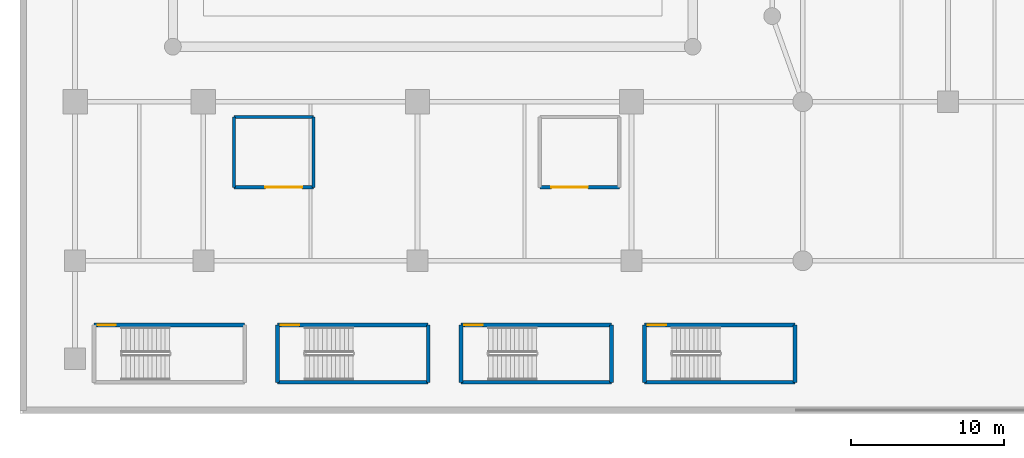
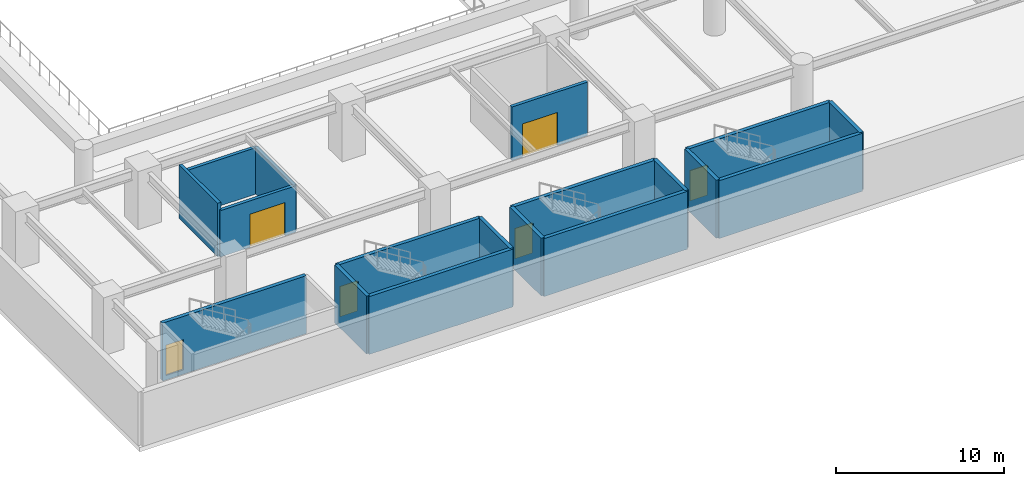
# One storey, part 6 of 25: 18 walls, 6 doors, 6 openings.
"""IFC4 building model written with IfcOpenShell, lengths in metres."""

from ifc_helpers import new_model, si_unit, direction, frame, frame_2d, origin, place, context, subcontext, project, spatial, rectangle, extrude, material, layer, layer_set, type_object, element, fill, save


model = new_model("IFC4")

# Units and contexts
model_context = context("Model", 3, precision=1e-05, world=origin(), true_north=direction((0.0, 1.0)))
body_context = subcontext(model_context, "Body", "Model", "MODEL_VIEW")
ifc_project = project(units=[si_unit("LENGTHUNIT", "METRE"), si_unit("AREAUNIT", "SQUARE_METRE"), si_unit("VOLUMEUNIT", "CUBIC_METRE"), si_unit("PLANEANGLEUNIT", "RADIAN"), si_unit("MASSUNIT", "GRAM", prefix="KILO")], contexts=[model_context])

# Site, building, storey
site_placement = place(None, origin())
site = spatial("IfcSite", under=ifc_project, at=site_placement, CompositionType="ELEMENT")
building_placement = place(site_placement, origin())
building = spatial("IfcBuilding", under=site, at=building_placement, Name="Narakoshi Arena Tower", CompositionType="ELEMENT")
storey_placement = place(building_placement, frame((0.0, 0.0, 9.0)))
storey = spatial("IfcBuildingStorey", under=building, at=storey_placement, Name="L02", CompositionType="ELEMENT", Elevation=9.0)

# Wall, opening, door
ifc_material_1 = material(Name="Concrete C40/50", Category="concrete")
ifc_layer_1 = layer(ifc_material_1, 0.219970703125)
ifc_layer_set_1 = layer_set([ifc_layer_1], Name="Concrete C40/50")
wall_type_1 = type_object("IfcWallType", Name="WL-COMP-220", PredefinedType="SOLIDWALL", material=ifc_layer_set_1)
wall_1_placement = place(storey_placement, frame((14.0, 14.800048828125, 0.0), z_axis=(0.0, 0.0, 1.0), x_axis=(1.0, 0.0, 0.0)))
wall_1 = element("IfcWall", 1, at=wall_1_placement, inside=storey, type_object=wall_type_1, Name="L02 Vomitory 1 Wall S", PredefinedType="SOLIDWALL", context=body_context, shape_type="SweptSolid", body=[
    extrude(rectangle(XDim=5.199951171875, YDim=0.219970703125, at=frame_2d((2.60009765625, 0.0))), origin(), (0.0, 0.0, 1.0), 3.364990234375),
])
opening_1_placement = place(wall_1_placement, frame((2.050048828125, 0.0, 0.0)))
opening_1 = element("IfcOpeningElement", 2, at=opening_1_placement, cuts=wall_1, Name="Opening D-02", PredefinedType="OPENING", context=body_context, shape_type="SweptSolid", body=[
    extrude(rectangle(XDim=2.39990234375, YDim=2.39990234375, at=frame_2d((1.199951171875, 1.199951171875))), frame((0.0, 0.119873046875, 0.0), z_axis=(0.0, -1.0, 0.0), x_axis=(1.0, 0.0, 0.0)), (0.0, 0.0, 1.0), 0.239990234375),
])
ifc_material_2 = material(Name="Painted galvanized steel", Category="steel")
door_type_1 = type_object("IfcDoorType", Name="DR-ARN-2400", OperationType="DOUBLE_DOOR_SINGLE_SWING", PredefinedType="USERDEFINED", material=ifc_material_2)
door_1_placement = place(opening_1_placement, frame((2.39990234375, 0.0, 0.0), z_axis=(0.0, 0.0, 1.0), x_axis=(-1.0, 0.0, 0.0)))
door_1 = element("IfcDoor", 3, at=door_1_placement, inside=storey, type_object=door_type_1, Name="DR-L02-022", ObjectType="EXITDOOR", OperationType="DOUBLE_DOOR_SINGLE_SWING", OverallHeight=2.39990234375, OverallWidth=2.39990234375, PredefinedType="USERDEFINED", context=body_context, shape_type="SweptSolid", body=[
    extrude(rectangle(XDim=2.39990234375, YDim=2.39990234375, at=frame_2d((1.199951171875, 1.199951171875))), frame((0.0, 0.02490234375, 0.0), z_axis=(0.0, -1.0, 0.0), x_axis=(1.0, 0.0, 0.0)), (0.0, 0.0, 1.0), 0.050048828125),
])
fill(opening_1, door_1)

# Walls
wall_2_placement = place(storey_placement, frame((19.199951171875, 14.800048828125, 0.0), z_axis=(0.0, 0.0, 1.0), x_axis=(0.0, 1.0, 0.0)))
element("IfcWall", 4, at=wall_2_placement, inside=storey, type_object=wall_type_1, Name="L02 Vomitory 1 Wall E", PredefinedType="SOLIDWALL", context=body_context, shape_type="SweptSolid", body=[
    extrude(rectangle(XDim=4.599853515625, YDim=0.219970703125, at=frame_2d((2.2998046875, 0.0))), origin(), (0.0, 0.0, 1.0), 3.364990234375),
])
wall_3_placement = place(storey_placement, frame((19.199951171875, 19.39990234375, 0.0), z_axis=(0.0, 0.0, 1.0), x_axis=(-1.0, 0.0, 0.0)))
element("IfcWall", 5, at=wall_3_placement, inside=storey, type_object=wall_type_1, Name="L02 Vomitory 1 Wall N", PredefinedType="SOLIDWALL", context=body_context, shape_type="SweptSolid", body=[
    extrude(rectangle(XDim=5.199951171875, YDim=0.219970703125, at=frame_2d((2.60009765625, 0.0))), origin(), (0.0, 0.0, 1.0), 3.364990234375),
])
wall_4_placement = place(storey_placement, frame((14.0, 19.39990234375, 0.0), z_axis=(0.0, 0.0, 1.0), x_axis=(0.0, -1.0, 0.0)))
element("IfcWall", 6, at=wall_4_placement, inside=storey, type_object=wall_type_1, Name="L02 Vomitory 1 Wall W", PredefinedType="SOLIDWALL", context=body_context, shape_type="SweptSolid", body=[
    extrude(rectangle(XDim=4.599853515625, YDim=0.219970703125, at=frame_2d((2.2998046875, 0.0))), origin(), (0.0, 0.0, 1.0), 3.8798828125),
])

# Wall, opening, door
wall_5_placement = place(storey_placement, frame((34.0, 14.800048828125, 0.0), z_axis=(0.0, 0.0, 1.0), x_axis=(1.0, 0.0, 0.0)))
wall_5 = element("IfcWall", 7, at=wall_5_placement, inside=storey, type_object=wall_type_1, Name="L02 Vomitory 2 Wall S", PredefinedType="SOLIDWALL", context=body_context, shape_type="SweptSolid", body=[
    extrude(rectangle(XDim=5.199951171875, YDim=0.219970703125, at=frame_2d((2.60009765625, 0.0))), origin(), (0.0, 0.0, 1.0), 3.8798828125),
])
opening_2_placement = place(wall_5_placement, frame((0.75, 0.0, 0.0)))
opening_2 = element("IfcOpeningElement", 8, at=opening_2_placement, cuts=wall_5, Name="Opening D-02", PredefinedType="OPENING", context=body_context, shape_type="SweptSolid", body=[
    extrude(rectangle(XDim=2.39990234375, YDim=2.39990234375, at=frame_2d((1.199951171875, 1.199951171875))), frame((0.0, 0.119873046875, 0.0), z_axis=(0.0, -1.0, 0.0), x_axis=(1.0, 0.0, 0.0)), (0.0, 0.0, 1.0), 0.239990234375),
])
door_2_placement = place(opening_2_placement, frame((2.39990234375, 0.0, 0.0), z_axis=(0.0, 0.0, 1.0), x_axis=(-1.0, 0.0, 0.0)))
door_2 = element("IfcDoor", 9, at=door_2_placement, inside=storey, type_object=door_type_1, Name="DR-L02-023", ObjectType="EXITDOOR", OperationType="DOUBLE_DOOR_SINGLE_SWING", OverallHeight=2.39990234375, OverallWidth=2.39990234375, PredefinedType="USERDEFINED", context=body_context, shape_type="SweptSolid", body=[
    extrude(rectangle(XDim=2.39990234375, YDim=2.39990234375, at=frame_2d((1.199951171875, 1.199951171875))), frame((0.0, 0.02490234375, 0.0), z_axis=(0.0, -1.0, 0.0), x_axis=(1.0, 0.0, 0.0)), (0.0, 0.0, 1.0), 0.050048828125),
])
fill(opening_2, door_2)

ifc_material_3 = material(Name="Concrete C50/60", Category="concrete")
ifc_layer_2 = layer(ifc_material_3, 0.35009765625)
ifc_layer_set_2 = layer_set([ifc_layer_2], Name="Concrete C50/60")
wall_type_2 = type_object("IfcWallType", Name="WL-SHAFT-350", PredefinedType="SOLIDWALL", material=ifc_layer_set_2)
wall_6_placement = place(storey_placement, frame((4.85009765625, 5.800048828125, -0.320068359375), z_axis=(0.0, 0.0, 1.0), x_axis=(1.0, 0.0, 0.0)))
wall_6 = element("IfcWall", 10, at=wall_6_placement, inside=storey, type_object=wall_type_2, Name="L02 AST1 Landing Door Wall", PredefinedType="SOLIDWALL", context=body_context, shape_type="SweptSolid", body=[
    extrude(rectangle(XDim=9.849853515625, YDim=0.25, at=frame_2d((4.9248046875, 0.0))), origin(), (0.0, 0.0, 1.0), 4.199951171875),
])
opening_3_placement = place(wall_6_placement, frame((0.219970703125, 0.0, 0.320068359375)))
opening_3 = element("IfcOpeningElement", 11, at=opening_3_placement, cuts=wall_6, Name="Opening D-03", PredefinedType="OPENING", context=body_context, shape_type="SweptSolid", body=[
    extrude(rectangle(XDim=1.199951171875, YDim=2.199951171875, at=frame_2d((0.60009765625, 1.10009765625))), frame((0.0, 0.135009765625, 0.0), z_axis=(0.0, -1.0, 0.0), x_axis=(1.0, 0.0, 0.0)), (0.0, 0.0, 1.0), 0.27001953125),
])
door_type_2 = type_object("IfcDoorType", Name="DR-STR-1200", OperationType="NOTDEFINED", PredefinedType="USERDEFINED", material=ifc_material_2)
door_3_placement = place(opening_3_placement, frame((1.199951171875, 0.0, 0.0), z_axis=(0.0, 0.0, 1.0), x_axis=(-1.0, 0.0, 0.0)))
door_3 = element("IfcDoor", 12, at=door_3_placement, inside=storey, type_object=door_type_2, Name="DR-L02-014", ObjectType="EXITDOOR", OperationType="SINGLE_SWING_LEFT", OverallHeight=2.199951171875, OverallWidth=1.199951171875, PredefinedType="USERDEFINED", context=body_context, shape_type="SweptSolid", body=[
    extrude(rectangle(XDim=1.199951171875, YDim=2.199951171875, at=frame_2d((0.60009765625, 1.10009765625))), frame((0.0, 0.02490234375, 0.0), z_axis=(0.0, -1.0, 0.0), x_axis=(1.0, 0.0, 0.0)), (0.0, 0.0, 1.0), 0.050048828125),
])
fill(opening_3, door_3)

# Walls
for number, where, z_axis, x_axis, name in (
    (13, (16.85009765625, 2.050048828125, -0.320068359375), (0.0, 0.0, 1.0), (0.0, 1.0, 0.0), "L02 AST2 Enclosure Wall W"),
    (14, (26.699951171875, 2.050048828125, -0.320068359375), (0.0, 0.0, 1.0), (0.0, 1.0, 0.0), "L02 AST2 Enclosure Wall E"),
):
    element("IfcWall", number, at=place(storey_placement, frame(where, z_axis=z_axis, x_axis=x_axis)), inside=storey, type_object=wall_type_2, Name=name, PredefinedType="SOLIDWALL", context=body_context, shape_type="SweptSolid", body=[
        extrude(rectangle(XDim=3.75, YDim=0.25, at=frame_2d((1.875, 0.0))), origin(), (0.0, 0.0, 1.0), 4.199951171875),
    ])
wall_7_placement = place(storey_placement, frame((16.85009765625, 2.050048828125, -0.320068359375), z_axis=(0.0, 0.0, 1.0), x_axis=(1.0, 0.0, 0.0)))
element("IfcWall", 15, at=wall_7_placement, inside=storey, type_object=wall_type_2, Name="L02 AST2 Enclosure Wall B", PredefinedType="SOLIDWALL", context=body_context, shape_type="SweptSolid", body=[
    extrude(rectangle(XDim=9.849853515625, YDim=0.25, at=frame_2d((4.9248046875, 0.0))), origin(), (0.0, 0.0, 1.0), 4.199951171875),
])

# Wall, opening, door
wall_8_placement = place(storey_placement, frame((16.85009765625, 5.800048828125, -0.320068359375), z_axis=(0.0, 0.0, 1.0), x_axis=(1.0, 0.0, 0.0)))
wall_8 = element("IfcWall", 16, at=wall_8_placement, inside=storey, type_object=wall_type_2, Name="L02 AST2 Landing Door Wall", PredefinedType="SOLIDWALL", context=body_context, shape_type="SweptSolid", body=[
    extrude(rectangle(XDim=9.849853515625, YDim=0.25, at=frame_2d((4.9248046875, 0.0))), origin(), (0.0, 0.0, 1.0), 4.199951171875),
])
opening_4_placement = place(wall_8_placement, frame((0.219970703125, 0.0, 0.320068359375)))
opening_4 = element("IfcOpeningElement", 17, at=opening_4_placement, cuts=wall_8, Name="Opening D-03", PredefinedType="OPENING", context=body_context, shape_type="SweptSolid", body=[
    extrude(rectangle(XDim=1.199951171875, YDim=2.199951171875, at=frame_2d((0.60009765625, 1.10009765625))), frame((0.0, 0.135009765625, 0.0), z_axis=(0.0, -1.0, 0.0), x_axis=(1.0, 0.0, 0.0)), (0.0, 0.0, 1.0), 0.27001953125),
])
door_4_placement = place(opening_4_placement, frame((1.199951171875, 0.0, 0.0), z_axis=(0.0, 0.0, 1.0), x_axis=(-1.0, 0.0, 0.0)))
door_4 = element("IfcDoor", 18, at=door_4_placement, inside=storey, type_object=door_type_2, Name="DR-L02-015", ObjectType="EXITDOOR", OperationType="SINGLE_SWING_RIGHT", OverallHeight=2.199951171875, OverallWidth=1.199951171875, PredefinedType="USERDEFINED", context=body_context, shape_type="SweptSolid", body=[
    extrude(rectangle(XDim=1.199951171875, YDim=2.199951171875, at=frame_2d((0.60009765625, 1.10009765625))), frame((0.0, 0.02490234375, 0.0), z_axis=(0.0, -1.0, 0.0), x_axis=(1.0, 0.0, 0.0)), (0.0, 0.0, 1.0), 0.050048828125),
])
fill(opening_4, door_4)

# Walls
for number, where, z_axis, x_axis, name in (
    (19, (28.85009765625, 2.050048828125, -0.320068359375), (0.0, 0.0, 1.0), (0.0, 1.0, 0.0), "L02 AST3 Enclosure Wall W"),
    (20, (38.699951171875, 2.050048828125, -0.320068359375), (0.0, 0.0, 1.0), (0.0, 1.0, 0.0), "L02 AST3 Enclosure Wall E"),
):
    element("IfcWall", number, at=place(storey_placement, frame(where, z_axis=z_axis, x_axis=x_axis)), inside=storey, type_object=wall_type_2, Name=name, PredefinedType="SOLIDWALL", context=body_context, shape_type="SweptSolid", body=[
        extrude(rectangle(XDim=3.75, YDim=0.25, at=frame_2d((1.875, 0.0))), origin(), (0.0, 0.0, 1.0), 4.199951171875),
    ])
wall_9_placement = place(storey_placement, frame((28.85009765625, 2.050048828125, -0.320068359375), z_axis=(0.0, 0.0, 1.0), x_axis=(1.0, 0.0, 0.0)))
element("IfcWall", 21, at=wall_9_placement, inside=storey, type_object=wall_type_2, Name="L02 AST3 Enclosure Wall B", PredefinedType="SOLIDWALL", context=body_context, shape_type="SweptSolid", body=[
    extrude(rectangle(XDim=9.849853515625, YDim=0.25, at=frame_2d((4.9248046875, 0.0))), origin(), (0.0, 0.0, 1.0), 4.199951171875),
])

# Wall, opening, door
wall_10_placement = place(storey_placement, frame((28.85009765625, 5.800048828125, -0.320068359375), z_axis=(0.0, 0.0, 1.0), x_axis=(1.0, 0.0, 0.0)))
wall_10 = element("IfcWall", 22, at=wall_10_placement, inside=storey, type_object=wall_type_2, Name="L02 AST3 Landing Door Wall", PredefinedType="SOLIDWALL", context=body_context, shape_type="SweptSolid", body=[
    extrude(rectangle(XDim=9.849853515625, YDim=0.25, at=frame_2d((4.9248046875, 0.0))), origin(), (0.0, 0.0, 1.0), 4.199951171875),
])
opening_5_placement = place(wall_10_placement, frame((0.219970703125, 0.0, 0.320068359375)))
opening_5 = element("IfcOpeningElement", 23, at=opening_5_placement, cuts=wall_10, Name="Opening D-03", PredefinedType="OPENING", context=body_context, shape_type="SweptSolid", body=[
    extrude(rectangle(XDim=1.199951171875, YDim=2.199951171875, at=frame_2d((0.60009765625, 1.10009765625))), frame((0.0, 0.135009765625, 0.0), z_axis=(0.0, -1.0, 0.0), x_axis=(1.0, 0.0, 0.0)), (0.0, 0.0, 1.0), 0.27001953125),
])
door_5_placement = place(opening_5_placement, frame((1.199951171875, 0.0, 0.0), z_axis=(0.0, 0.0, 1.0), x_axis=(-1.0, 0.0, 0.0)))
door_5 = element("IfcDoor", 24, at=door_5_placement, inside=storey, type_object=door_type_2, Name="DR-L02-016", ObjectType="EXITDOOR", OperationType="SINGLE_SWING_LEFT", OverallHeight=2.199951171875, OverallWidth=1.199951171875, PredefinedType="USERDEFINED", context=body_context, shape_type="SweptSolid", body=[
    extrude(rectangle(XDim=1.199951171875, YDim=2.199951171875, at=frame_2d((0.60009765625, 1.10009765625))), frame((0.0, 0.02490234375, 0.0), z_axis=(0.0, -1.0, 0.0), x_axis=(1.0, 0.0, 0.0)), (0.0, 0.0, 1.0), 0.050048828125),
])
fill(opening_5, door_5)

# Walls
for number, where, z_axis, x_axis, name in (
    (25, (40.85009765625, 2.050048828125, -0.320068359375), (0.0, 0.0, 1.0), (0.0, 1.0, 0.0), "L02 AST4 Enclosure Wall W"),
    (26, (50.699951171875, 2.050048828125, -0.320068359375), (0.0, 0.0, 1.0), (0.0, 1.0, 0.0), "L02 AST4 Enclosure Wall E"),
):
    element("IfcWall", number, at=place(storey_placement, frame(where, z_axis=z_axis, x_axis=x_axis)), inside=storey, type_object=wall_type_2, Name=name, PredefinedType="SOLIDWALL", context=body_context, shape_type="SweptSolid", body=[
        extrude(rectangle(XDim=3.75, YDim=0.25, at=frame_2d((1.875, 0.0))), origin(), (0.0, 0.0, 1.0), 4.199951171875),
    ])
wall_11_placement = place(storey_placement, frame((40.85009765625, 2.050048828125, -0.320068359375), z_axis=(0.0, 0.0, 1.0), x_axis=(1.0, 0.0, 0.0)))
element("IfcWall", 27, at=wall_11_placement, inside=storey, type_object=wall_type_2, Name="L02 AST4 Enclosure Wall B", PredefinedType="SOLIDWALL", context=body_context, shape_type="SweptSolid", body=[
    extrude(rectangle(XDim=9.849853515625, YDim=0.25, at=frame_2d((4.9248046875, 0.0))), origin(), (0.0, 0.0, 1.0), 4.199951171875),
])

# Wall, opening, door
wall_12_placement = place(storey_placement, frame((40.85009765625, 5.800048828125, -0.320068359375), z_axis=(0.0, 0.0, 1.0), x_axis=(1.0, 0.0, 0.0)))
wall_12 = element("IfcWall", 28, at=wall_12_placement, inside=storey, type_object=wall_type_2, Name="L02 AST4 Landing Door Wall", PredefinedType="SOLIDWALL", context=body_context, shape_type="SweptSolid", body=[
    extrude(rectangle(XDim=9.849853515625, YDim=0.25, at=frame_2d((4.9248046875, 0.0))), origin(), (0.0, 0.0, 1.0), 4.199951171875),
])
opening_6_placement = place(wall_12_placement, frame((0.219970703125, 0.0, 0.320068359375)))
opening_6 = element("IfcOpeningElement", 29, at=opening_6_placement, cuts=wall_12, Name="Opening D-03", PredefinedType="OPENING", context=body_context, shape_type="SweptSolid", body=[
    extrude(rectangle(XDim=1.199951171875, YDim=2.199951171875, at=frame_2d((0.60009765625, 1.10009765625))), frame((0.0, 0.135009765625, 0.0), z_axis=(0.0, -1.0, 0.0), x_axis=(1.0, 0.0, 0.0)), (0.0, 0.0, 1.0), 0.27001953125),
])
door_6_placement = place(opening_6_placement, frame((1.199951171875, 0.0, 0.0), z_axis=(0.0, 0.0, 1.0), x_axis=(-1.0, 0.0, 0.0)))
door_6 = element("IfcDoor", 30, at=door_6_placement, inside=storey, type_object=door_type_2, Name="DR-L02-017", ObjectType="EXITDOOR", OperationType="SINGLE_SWING_RIGHT", OverallHeight=2.199951171875, OverallWidth=1.199951171875, PredefinedType="USERDEFINED", context=body_context, shape_type="SweptSolid", body=[
    extrude(rectangle(XDim=1.199951171875, YDim=2.199951171875, at=frame_2d((0.60009765625, 1.10009765625))), frame((0.0, 0.02490234375, 0.0), z_axis=(0.0, -1.0, 0.0), x_axis=(1.0, 0.0, 0.0)), (0.0, 0.0, 1.0), 0.050048828125),
])
fill(opening_6, door_6)

save(model, "model.ifc")
